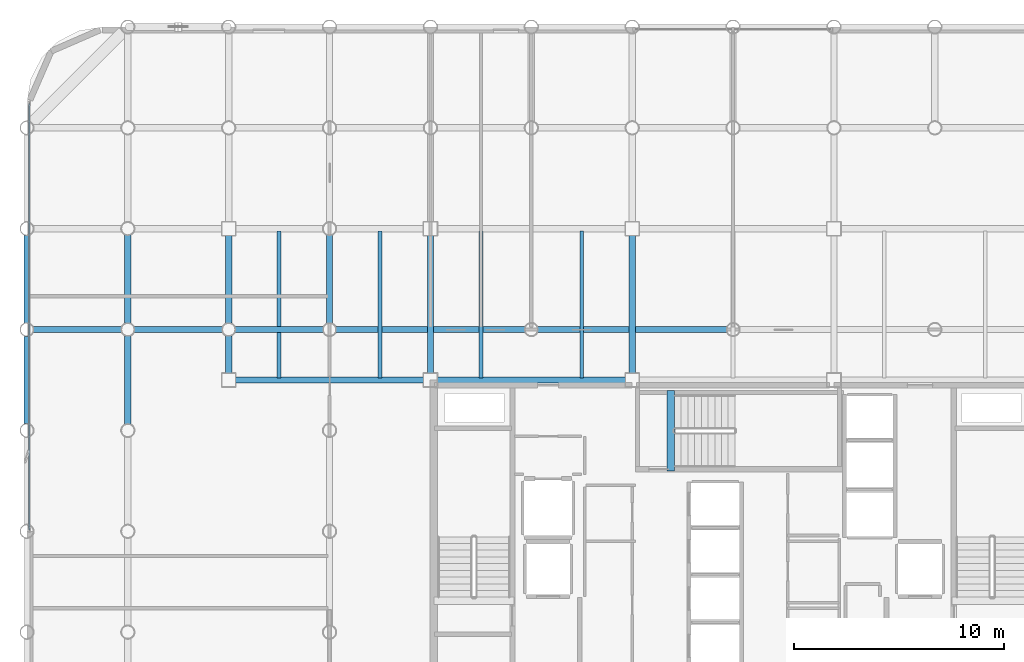
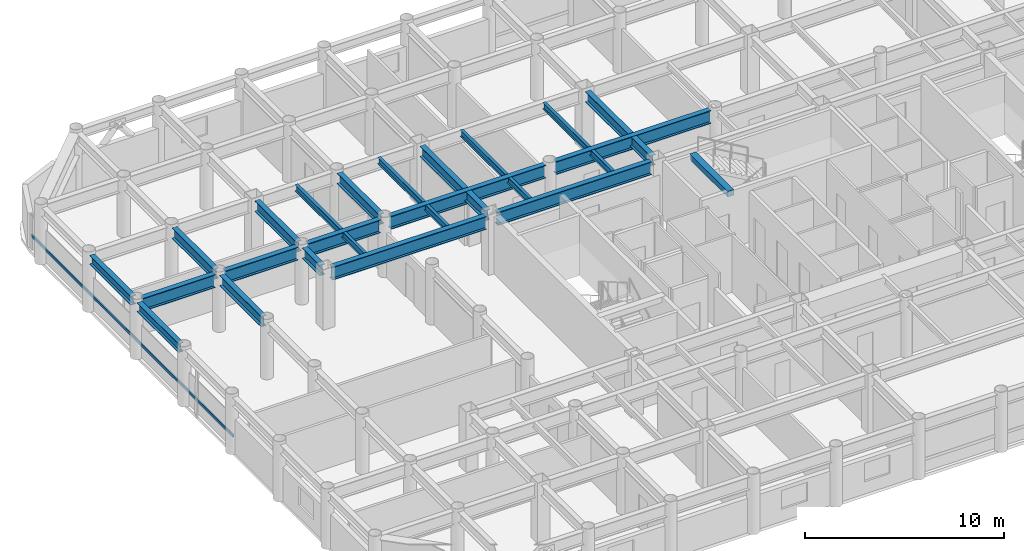
# One storey, part 5 of 19: 21 beams, 1 member, 1 element without a shape of its own.
"""IFC4 building model written with IfcOpenShell, lengths in metres."""

import ifcopenshell
import ifcopenshell.guid

model = None  # the IFC model being written
_history = None  # IfcOwnerHistory: only IFC2X3 demands one
_inside = {}  # id of a spatial element -> (the spatial element, [elements in it])
_under = {}  # id of a project, library or spatial element -> (it, [spatial elements below it])
_declared = {}  # id of a project -> (the project, [libraries it declares])
_typed = {}  # id of a type object -> (the type object, [elements of that type])
_made_of = {}  # id of a material, layer set ... -> (it, [elements and type objects made of it])


def new_model(schema):
    """Start an empty IFC model of exactly this schema.

    Asked for "IFC4X3", IfcOpenShell would pick the latest addendum, in which some entities
    have other attributes; the version numbers below select the first issue.
    IFC2X3 requires an IfcOwnerHistory on every rooted entity: one is made here for all.
    """
    global model, _history
    if schema == "IFC4X3":
        model = ifcopenshell.file(schema_version=(4, 3, 0, 0))
    else:
        model = ifcopenshell.file(schema=schema)
    _inside.clear()
    _under.clear()
    _declared.clear()
    _typed.clear()
    _made_of.clear()
    _history = None
    if model.schema == "IFC2X3":
        org = make("IfcOrganization", Name="unknown")
        user = make(
            "IfcPersonAndOrganization",
            ThePerson=make("IfcPerson", FamilyName="unknown"),
            TheOrganization=org,
        )
        app = make(
            "IfcApplication",
            ApplicationDeveloper=org,
            Version="unknown",
            ApplicationFullName="unknown",
            ApplicationIdentifier="unknown",
        )
        _history = make(
            "IfcOwnerHistory",
            OwningUser=user,
            OwningApplication=app,
            ChangeAction="ADDED",
            CreationDate=0,
        )
    return model


def make(cls, **values):
    """One entity of the class cls with the attributes given. An attribute that is None is left unset."""
    return model.create_entity(
        cls, **{name: value for name, value in values.items() if value is not None}
    )


def rooted(cls, **values):
    """An entity with a GlobalId (a new one), such as an element, a storey or a relation."""
    return make(cls, GlobalId=ifcopenshell.guid.new(), OwnerHistory=_history, **values)


def si_unit(unit_type, name, prefix=None):
    """IfcSIUnit, for example si_unit("LENGTHUNIT", "METRE", prefix="MILLI")."""
    return make("IfcSIUnit", UnitType=unit_type, Prefix=prefix, Name=name)


def assignment(units):
    """IfcUnitAssignment: the units of a project."""
    return None if units is None else make("IfcUnitAssignment", Units=units)


def point(xyz):
    """IfcCartesianPoint."""
    return None if xyz is None else make("IfcCartesianPoint", Coordinates=xyz)


def direction(xyz):
    """IfcDirection."""
    return None if xyz is None else make("IfcDirection", DirectionRatios=xyz)


def frame(location, z_axis=None, x_axis=None):
    """IfcAxis2Placement3D, a coordinate frame: its origin and axes. An axis left out is left unset."""
    return make(
        "IfcAxis2Placement3D",
        Location=point(location),
        Axis=direction(z_axis),
        RefDirection=direction(x_axis),
    )


def frame_2d(location, x_axis=None):
    """IfcAxis2Placement2D, a coordinate frame in the plane: its origin and x axis."""
    return make(
        "IfcAxis2Placement2D", Location=point(location), RefDirection=direction(x_axis)
    )


def origin():
    """The frame at (0, 0, 0) with its axes left unset."""
    return frame((0.0, 0.0, 0.0))


def origin_2d():
    """The frame at (0, 0) in the plane with its x axis left unset."""
    return frame_2d((0.0, 0.0))


def place(relative_to, where):
    """IfcLocalPlacement: puts the frame where relative to a parent placement (None: the world)."""
    return make(
        "IfcLocalPlacement", PlacementRelTo=relative_to, RelativePlacement=where
    )


def context(
    kind, dimensions, precision=None, world=None, true_north=None, identifier=None
):
    """IfcGeometricRepresentationContext, for example the 3D "Model" context."""
    return make(
        "IfcGeometricRepresentationContext",
        ContextIdentifier=identifier,
        ContextType=kind,
        CoordinateSpaceDimension=dimensions,
        Precision=precision,
        WorldCoordinateSystem=world,
        TrueNorth=true_north,
    )


def subcontext(parent, identifier, kind, view, scale=None):
    """IfcGeometricRepresentationSubContext, for example "Body" below "Model"."""
    return make(
        "IfcGeometricRepresentationSubContext",
        ContextIdentifier=identifier,
        ContextType=kind,
        ParentContext=parent,
        TargetScale=scale,
        TargetView=view,
    )


def project(units=None, contexts=None):
    """IfcProject with its units and contexts."""
    return rooted(
        "IfcProject",
        Name="project",
        RepresentationContexts=contexts,
        UnitsInContext=assignment(units),
    )


def spatial(cls, under=None, at=None, **own):
    """A site, building, storey or space (cls), placed at a placement, below another one or the project."""
    s = rooted(cls, ObjectPlacement=at, **own)
    if under is not None:
        _under.setdefault(under.id(), (under, []))[1].append(s)
    return s


def profile(cls, at=None, kind="AREA", **sizes):
    """A parametric profile (cls). Its sizes go by their IFC names, for example OverallWidth=200.0."""
    return make(cls, ProfileType=kind, Position=at, **sizes)


def rectangle(**sizes):
    """IfcRectangleProfileDef."""
    return profile("IfcRectangleProfileDef", **sizes)


def hollow_rectangle(**sizes):
    """IfcRectangleHollowProfileDef."""
    return profile("IfcRectangleHollowProfileDef", **sizes)


def i_section(**sizes):
    """IfcIShapeProfileDef."""
    return profile("IfcIShapeProfileDef", **sizes)


def extrude(swept, where, along, depth):
    """IfcExtrudedAreaSolid: the profile swept, set in the frame where, extruded along a direction by depth."""
    return make(
        "IfcExtrudedAreaSolid",
        SweptArea=swept,
        Position=where,
        ExtrudedDirection=direction(along),
        Depth=depth,
    )


def shape(context_of_items, identifier, shape_type, items):
    """IfcShapeRepresentation: the items that make up one representation, for example the "Body"."""
    return make(
        "IfcShapeRepresentation",
        ContextOfItems=context_of_items,
        RepresentationIdentifier=identifier,
        RepresentationType=shape_type,
        Items=items,
    )


def material(Name=None, Category=None):
    """IfcMaterial."""
    return make("IfcMaterial", Name=Name, Category=Category)


def layer(
    of_material, thickness, ventilated=None, Name=None, Category=None, Priority=None
):
    """IfcMaterialLayer: one layer of a wall or slab, of a material (None: an air gap)."""
    return make(
        "IfcMaterialLayer",
        Material=of_material,
        LayerThickness=thickness,
        IsVentilated=ventilated,
        Name=Name,
        Category=Category,
        Priority=Priority,
    )


def layer_set(layers, Name=None):
    """IfcMaterialLayerSet."""
    return make("IfcMaterialLayerSet", MaterialLayers=layers, LayerSetName=Name)


def material_profile(
    of_material, cross_section, Name=None, Category=None, Priority=None
):
    """IfcMaterialProfile: a cross section and its material."""
    return make(
        "IfcMaterialProfile",
        Name=Name,
        Material=of_material,
        Profile=cross_section,
        Priority=Priority,
        Category=Category,
    )


def profile_set(profiles, Name=None, composite=None):
    """IfcMaterialProfileSet."""
    return make(
        "IfcMaterialProfileSet",
        Name=Name,
        MaterialProfiles=profiles,
        CompositeProfile=composite,
    )


def made_of(thing, what):
    """Note that an element or type object is made of a material, layer set ...; save() writes the relation."""
    if what is not None:
        _made_of.setdefault(what.id(), (what, []))[1].append(thing)
    return thing


def type_object(cls, material=None, **own):
    """A type object (cls), such as IfcWallType, which elements share."""
    return made_of(rooted(cls, **own), material)


def element(
    cls,
    number,
    at=None,
    inside=None,
    cuts=None,
    type_object=None,
    material=None,
    context=None,
    identifier="Body",
    shape_type=None,
    held_by="IfcProductDefinitionShape",
    body=None,
    shapes=None,
    **own,
):
    """One element of the class cls, such as IfcWall. Its Tag is "e" and its number.

    at: its placement. inside: the storey or other place that contains it. cuts: it is an
    opening in that element (IfcRelVoidsElement). A single representation is given by context,
    identifier, shape_type and body (its items); several are given by shapes. held_by: the class
    of the entity that holds the representations. save() writes the other relations.
    """
    e = rooted(cls, Tag="e%d" % number, ObjectPlacement=at, **own)
    if body is not None:
        shapes = [shape(context, identifier, shape_type, body)]
    if shapes is not None:
        e.Representation = make(held_by, Representations=shapes)
    if inside is not None:
        _inside.setdefault(inside.id(), (inside, []))[1].append(e)
    if cuts is not None:
        rooted(
            "IfcRelVoidsElement", RelatingBuildingElement=cuts, RelatedOpeningElement=e
        )
    if type_object is not None:
        _typed.setdefault(type_object.id(), (type_object, []))[1].append(e)
    return made_of(e, material)


def aggregate(whole, parts):
    """IfcRelAggregates: a whole, such as a stair, and the parts it consists of."""
    return rooted("IfcRelAggregates", RelatingObject=whole, RelatedObjects=parts)


def save(model, path):
    """Write the relations noted so far, then the file.

    IfcRelAggregates (storeys below a building ...), IfcRelContainedInSpatialStructure (elements
    in a storey), IfcRelDefinesByType, IfcRelAssociatesMaterial and IfcRelDeclares: one each for
    every whole, place, type object, material and project.
    """
    for whole, parts in _under.values():
        aggregate(whole, parts)
    for where, things in _inside.values():
        rooted(
            "IfcRelContainedInSpatialStructure",
            RelatedElements=things,
            RelatingStructure=where,
        )
    for kind, things in _typed.values():
        rooted("IfcRelDefinesByType", RelatedObjects=things, RelatingType=kind)
    for what, things in _made_of.values():
        rooted("IfcRelAssociatesMaterial", RelatedObjects=things, RelatingMaterial=what)
    for by, libraries in _declared.values():
        rooted("IfcRelDeclares", RelatingContext=by, RelatedDefinitions=libraries)
    model.write(path)


model = new_model("IFC4")

# Units and contexts
model_context = context("Model", 3, precision=1e-05, world=origin(), true_north=direction((0.0, 1.0)))
body_context = subcontext(model_context, "Body", "Model", "MODEL_VIEW")
ifc_project = project(units=[si_unit("LENGTHUNIT", "METRE"), si_unit("AREAUNIT", "SQUARE_METRE"), si_unit("VOLUMEUNIT", "CUBIC_METRE"), si_unit("PLANEANGLEUNIT", "RADIAN"), si_unit("MASSUNIT", "GRAM", prefix="KILO")], contexts=[model_context])

# Site, building, storey
site_placement = place(None, origin())
site = spatial("IfcSite", under=ifc_project, at=site_placement, CompositionType="ELEMENT")
building_placement = place(site_placement, origin())
building = spatial("IfcBuilding", under=site, at=building_placement, Name="Kallvorn Hotel Tower", CompositionType="ELEMENT")
storey_placement = place(building_placement, frame((0.0, 0.0, 147.0)))
storey = spatial("IfcBuildingStorey", under=building, at=storey_placement, Name="L36", CompositionType="ELEMENT", Elevation=147.0)

# Beams
ifc_material_1 = material(Name="Structural steel S355JR", Category="steel")
ifc_material_profile_1 = material_profile(ifc_material_1, i_section(OverallWidth=0.300048828125, OverallDepth=0.550048828125, WebThickness=0.014892578125, FlangeThickness=0.029052734375, at=origin_2d()), Name="HE 550 B")
ifc_profile_set_1 = profile_set([ifc_material_profile_1], Name="Structural steel S355JR")
beam_type_1 = type_object("IfcBeamType", Name="BM_HE550B", PredefinedType="SPANDREL", material=ifc_profile_set_1)
beam_1_placement = place(storey_placement, frame((-33.60009765625, 5.1201171875, 3.2451171875), z_axis=(0.0, 1.0, 0.0), x_axis=(-1.0, 0.0, 0.0)))
element("IfcBeam", 1, at=beam_1_placement, inside=storey, type_object=beam_type_1, Name="L37 Perimeter Spandrel 178", PredefinedType="SPANDREL", context=body_context, shape_type="SweptSolid", body=[
    extrude(i_section(OverallWidth=0.300048828125, OverallDepth=0.550048828125, WebThickness=0.014892578125, FlangeThickness=0.029052734375, at=origin_2d()), origin(), (0.0, 0.0, 1.0), 4.159912109375),
])
beam_2_placement = place(storey_placement, frame((-33.60009765625, 9.919921875, 3.2451171875), z_axis=(0.0, 1.0, 0.0), x_axis=(-1.0, 0.0, 0.0)))
element("IfcBeam", 2, at=beam_2_placement, inside=storey, type_object=beam_type_1, Name="L37 Perimeter Spandrel 179", PredefinedType="SPANDREL", context=body_context, shape_type="SweptSolid", body=[
    extrude(i_section(OverallWidth=0.300048828125, OverallDepth=0.550048828125, WebThickness=0.014892578125, FlangeThickness=0.029052734375, at=origin_2d()), origin(), (0.0, 0.0, 1.0), 4.16015625),
])
ifc_material_2 = material(Name="Structural steel S355JR", Category="steel")
ifc_material_profile_2 = material_profile(ifc_material_2, i_section(OverallWidth=0.300048828125, OverallDepth=0.64990234375, WebThickness=0.01611328125, FlangeThickness=0.031005859375, at=origin_2d()), Name="HE 650 B")
ifc_profile_set_2 = profile_set([ifc_material_profile_2], Name="Structural steel S355JR")
beam_type_2 = type_object("IfcBeamType", Name="BM_HE650B", PredefinedType="BEAM", material=ifc_profile_set_2)
for number, where, z_axis, x_axis, name in (
    (3, (-28.800048828125, 5.10498046875, 3.195068359375), (0.0, 1.0, 0.0), (-1.0, 0.0, 0.0), "L37 Primary Y-Girder 78"),
    (4, (-28.800048828125, 9.905029296875, 3.195068359375), (0.0, 1.0, 0.0), (-1.0, 0.0, 0.0), "L37 Primary Y-Girder 79"),
):
    element("IfcBeam", number, at=place(storey_placement, frame(where, z_axis=z_axis, x_axis=x_axis)), inside=storey, type_object=beam_type_2, Name=name, PredefinedType="BEAM", context=body_context, shape_type="SweptSolid", body=[
        extrude(i_section(OverallWidth=0.300048828125, OverallDepth=0.64990234375, WebThickness=0.01611328125, FlangeThickness=0.031005859375, at=origin_2d()), origin(), (0.0, 0.0, 1.0), 4.18994140625),
    ])
beam_3_placement = place(storey_placement, frame((-24.0, 7.52490234375, 3.195068359375), z_axis=(0.0, 1.0, 0.0), x_axis=(-1.0, 0.0, 0.0)))
element("IfcBeam", 5, at=beam_3_placement, inside=storey, type_object=beam_type_2, Name="L37 Primary Y-Girder 85", PredefinedType="BEAM", context=body_context, shape_type="SweptSolid", body=[
    extrude(i_section(OverallWidth=0.300048828125, OverallDepth=0.64990234375, WebThickness=0.01611328125, FlangeThickness=0.031005859375, at=origin_2d()), origin(), (0.0, 0.0, 1.0), 1.77001953125),
])
beam_4_placement = place(storey_placement, frame((-24.0, 9.905029296875, 3.195068359375), z_axis=(0.0, 1.0, 0.0), x_axis=(-1.0, 0.0, 0.0)))
element("IfcBeam", 6, at=beam_4_placement, inside=storey, type_object=beam_type_2, Name="L37 Primary Y-Girder 86", PredefinedType="BEAM", context=body_context, shape_type="SweptSolid", body=[
    extrude(i_section(OverallWidth=0.300048828125, OverallDepth=0.64990234375, WebThickness=0.01611328125, FlangeThickness=0.031005859375, at=origin_2d()), origin(), (0.0, 0.0, 1.0), 4.169921875),
])
beam_5_placement = place(storey_placement, frame((-19.199951171875, 9.905029296875, 3.195068359375), z_axis=(0.0, 1.0, 0.0), x_axis=(-1.0, 0.0, 0.0)))
element("IfcBeam", 7, at=beam_5_placement, inside=storey, type_object=beam_type_2, Name="L37 Primary Y-Girder 95", PredefinedType="BEAM", context=body_context, shape_type="SweptSolid", body=[
    extrude(i_section(OverallWidth=0.300048828125, OverallDepth=0.64990234375, WebThickness=0.01611328125, FlangeThickness=0.031005859375, at=origin_2d()), origin(), (0.0, 0.0, 1.0), 4.18994140625),
])
for number, where, z_axis, x_axis, name in (
    (8, (-14.39990234375, 7.52490234375, 3.195068359375), (0.0, 1.0, 0.0), (-1.0, 0.0, 0.0), "L37 Primary Y-Girder 100"),
    (9, (-4.800048828125, 7.52490234375, 3.195068359375), (0.0, 1.0, 0.0), (-1.0, 0.0, 0.0), "L37 Primary Y-Girder 108"),
):
    element("IfcBeam", number, at=place(storey_placement, frame(where, z_axis=z_axis, x_axis=x_axis)), inside=storey, type_object=beam_type_2, Name=name, PredefinedType="BEAM", context=body_context, shape_type="SweptSolid", body=[
        extrude(i_section(OverallWidth=0.300048828125, OverallDepth=0.64990234375, WebThickness=0.01611328125, FlangeThickness=0.031005859375, at=origin_2d()), origin(), (0.0, 0.0, 1.0), 6.550048828125),
    ])
ifc_material_3 = material(Name="Structural steel S355JR", Category="steel")
ifc_material_profile_3 = material_profile(ifc_material_3, i_section(OverallWidth=0.300048828125, OverallDepth=0.800048828125, WebThickness=0.017578125, FlangeThickness=0.032958984375, at=origin_2d()), Name="HE 800 B")
ifc_profile_set_3 = profile_set([ifc_material_profile_3], Name="Structural steel S355JR")
beam_type_3 = type_object("IfcBeamType", Name="BM_HE800B", PredefinedType="BEAM", material=ifc_profile_set_3)
for number, where, z_axis, x_axis, name in (
    (10, (-23.675048828125, 7.199951171875, 3.1201171875), (1.0, 0.0, 0.0), (0.0, 1.0, 0.0), "L37 Primary X-Girder 36"),
    (11, (-14.074951171875, 7.199951171875, 3.1201171875), (1.0, 0.0, 0.0), (0.0, 1.0, 0.0), "L37 Primary X-Girder 37"),
):
    element("IfcBeam", number, at=place(storey_placement, frame(where, z_axis=z_axis, x_axis=x_axis)), inside=storey, type_object=beam_type_3, Name=name, PredefinedType="BEAM", context=body_context, shape_type="SweptSolid", body=[
        extrude(i_section(OverallWidth=0.300048828125, OverallDepth=0.800048828125, WebThickness=0.017578125, FlangeThickness=0.032958984375, at=origin_2d()), origin(), (0.0, 0.0, 1.0), 8.949951171875),
    ])
beam_6_placement = place(storey_placement, frame((-33.294921875, 9.60009765625, 3.1201171875), z_axis=(1.0, 0.0, 0.0), x_axis=(0.0, 1.0, 0.0)))
element("IfcBeam", 12, at=beam_6_placement, inside=storey, type_object=beam_type_3, Name="L37 Primary X-Girder 41", PredefinedType="BEAM", context=body_context, shape_type="SweptSolid", body=[
    extrude(i_section(OverallWidth=0.300048828125, OverallDepth=0.800048828125, WebThickness=0.017578125, FlangeThickness=0.032958984375, at=origin_2d()), origin(), (0.0, 0.0, 1.0), 4.18994140625),
])
for number, where, z_axis, x_axis, name in (
    (13, (-28.4951171875, 9.60009765625, 3.1201171875), (1.0, 0.0, 0.0), (0.0, 1.0, 0.0), "L37 Primary X-Girder 42"),
    (14, (-23.695068359375, 9.60009765625, 3.1201171875), (1.0, 0.0, 0.0), (0.0, 1.0, 0.0), "L37 Primary X-Girder 43"),
):
    element("IfcBeam", number, at=place(storey_placement, frame(where, z_axis=z_axis, x_axis=x_axis)), inside=storey, type_object=beam_type_3, Name=name, PredefinedType="BEAM", context=body_context, shape_type="SweptSolid", body=[
        extrude(i_section(OverallWidth=0.300048828125, OverallDepth=0.800048828125, WebThickness=0.017578125, FlangeThickness=0.032958984375, at=origin_2d()), origin(), (0.0, 0.0, 1.0), 4.190185546875),
    ])
for number, where, z_axis, x_axis, name in (
    (15, (-18.89501953125, 9.60009765625, 3.1201171875), (1.0, 0.0, 0.0), (0.0, 1.0, 0.0), "L37 Primary X-Girder 44"),
    (16, (-9.294921875, 9.60009765625, 3.1201171875), (1.0, 0.0, 0.0), (0.0, 1.0, 0.0), "L37 Primary X-Girder 45"),
):
    element("IfcBeam", number, at=place(storey_placement, frame(where, z_axis=z_axis, x_axis=x_axis)), inside=storey, type_object=beam_type_3, Name=name, PredefinedType="BEAM", context=body_context, shape_type="SweptSolid", body=[
        extrude(i_section(OverallWidth=0.300048828125, OverallDepth=0.800048828125, WebThickness=0.017578125, FlangeThickness=0.032958984375, at=origin_2d()), origin(), (0.0, 0.0, 1.0), 8.989990234375),
    ])
ifc_material_4 = material(Name="Structural steel S355JR", Category="steel")
ifc_material_profile_4 = material_profile(ifc_material_4, i_section(OverallWidth=0.179931640625, OverallDepth=0.39990234375, WebThickness=0.008544921875, FlangeThickness=0.013427734375, at=origin_2d()), Name="IPE 400")
ifc_profile_set_4 = profile_set([ifc_material_profile_4], Name="Structural steel S355JR")
beam_type_4 = type_object("IfcBeamType", Name="BM_IPE400", PredefinedType="JOIST", material=ifc_profile_set_4)
for number, where, z_axis, x_axis, name in (
    (17, (-21.60009765625, 7.300048828125, 3.320068359375), (0.0, 1.0, 0.0), (-1.0, 0.0, 0.0), "L37 Secondary Composite Joist 193"),
    (18, (-16.800048828125, 7.300048828125, 3.320068359375), (0.0, 1.0, 0.0), (-1.0, 0.0, 0.0), "L37 Secondary Composite Joist 195"),
    (19, (-12.0, 7.300048828125, 3.320068359375), (0.0, 1.0, 0.0), (-1.0, 0.0, 0.0), "L37 Secondary Composite Joist 197"),
    (20, (-7.199951171875, 7.300048828125, 3.320068359375), (0.0, 1.0, 0.0), (-1.0, 0.0, 0.0), "L37 Secondary Composite Joist 199"),
):
    element("IfcBeam", number, at=place(storey_placement, frame(where, z_axis=z_axis, x_axis=x_axis)), inside=storey, type_object=beam_type_4, Name=name, PredefinedType="JOIST", context=body_context, shape_type="SweptSolid", body=[
        extrude(i_section(OverallWidth=0.179931640625, OverallDepth=0.39990234375, WebThickness=0.008544921875, FlangeThickness=0.013427734375, at=origin_2d()), origin(), (0.0, 0.0, 1.0), 7.0),
    ])
ifc_material_5 = material(Name="Concrete C50/60", Category="concrete")
ifc_material_profile_5 = material_profile(ifc_material_5, rectangle(XDim=0.360107421875, YDim=0.340087890625, at=origin_2d()), Name="RC 360x340")
ifc_profile_set_5 = profile_set([ifc_material_profile_5], Name="Concrete C50/60")
beam_type_5 = type_object("IfcBeamType", Name="BM_RC_400x360", PredefinedType="BEAM", material=ifc_profile_set_5)
beam_7_placement = place(storey_placement, frame((-2.9599609375, 2.8701171875, 3.35009765625), z_axis=(0.0, 1.0, 0.0), x_axis=(-1.0, 0.0, 0.0)))
element("IfcBeam", 21, at=beam_7_placement, inside=storey, type_object=beam_type_5, Name="L37 Stair ST3 Arrival Trimmer Beam", PredefinedType="BEAM", context=body_context, shape_type="SweptSolid", body=[
    extrude(rectangle(XDim=0.360107421875, YDim=0.340087890625, at=origin_2d()), origin(), (0.0, 0.0, 1.0), 3.81982421875),
])

# Curtain wall, member
ifc_material_6 = material(Name="Thermally broken black-anodised aluminium AA 6063-T6", Category="aluminium")
ifc_layer = layer(ifc_material_6, 0.2099609375)
ifc_layer_set = layer_set([ifc_layer], Name="CW_SYS_4_HOTEL_MID")
curtain_wall_type = type_object("IfcCurtainWallType", Name="CW_SYS_4_HOTEL_MID", PredefinedType="USERDEFINED", material=ifc_layer_set)
curtain_wall_placement = place(storey_placement, origin())
curtain_wall = element("IfcCurtainWall", 22, at=curtain_wall_placement, inside=storey, type_object=curtain_wall_type, Name="L36 Dark-Glass Curtain Wall CW-L36-WN", ObjectType="UNITISED CURTAIN WALL", PredefinedType="USERDEFINED")
ifc_material_7 = material(Name="Thermally broken black-anodised aluminium AA 6063-T6", Category="aluminium")
ifc_material_profile_6 = material_profile(ifc_material_7, hollow_rectangle(XDim=0.070068359375, YDim=0.179931640625, WallThickness=0.00390625, at=origin_2d()), Name="TRN 180x70")
ifc_profile_set_6 = profile_set([ifc_material_profile_6], Name="Thermally broken black-anodised aluminium AA 6063-T6")
member_type = type_object("IfcMemberType", Name="CW_TRANSOM_180x70", PredefinedType="USERDEFINED", material=ifc_profile_set_6)
member_placement = place(storey_placement, frame((-33.47998046875, 0.06005859375, 0.85009765625), z_axis=(0.0, 1.0, 0.0), x_axis=(-1.0, 0.0, 0.0)))
member = element("IfcMember", 23, at=member_placement, type_object=member_type, Name="CW-L36-WN Transom 00M", ObjectType="TRANSOM", PredefinedType="USERDEFINED", context=body_context, shape_type="SweptSolid", body=[
    extrude(hollow_rectangle(XDim=0.070068359375, YDim=0.179931640625, WallThickness=0.00390625, at=origin_2d()), origin(), (0.0, 0.0, 1.0), 20.300048828125),
])
aggregate(curtain_wall, [member])

save(model, "model.ifc")
